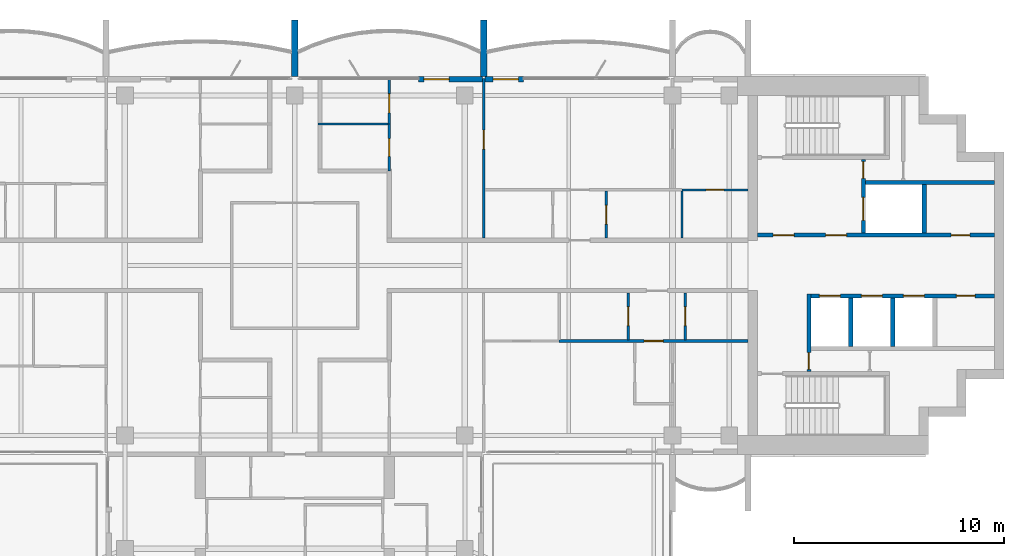
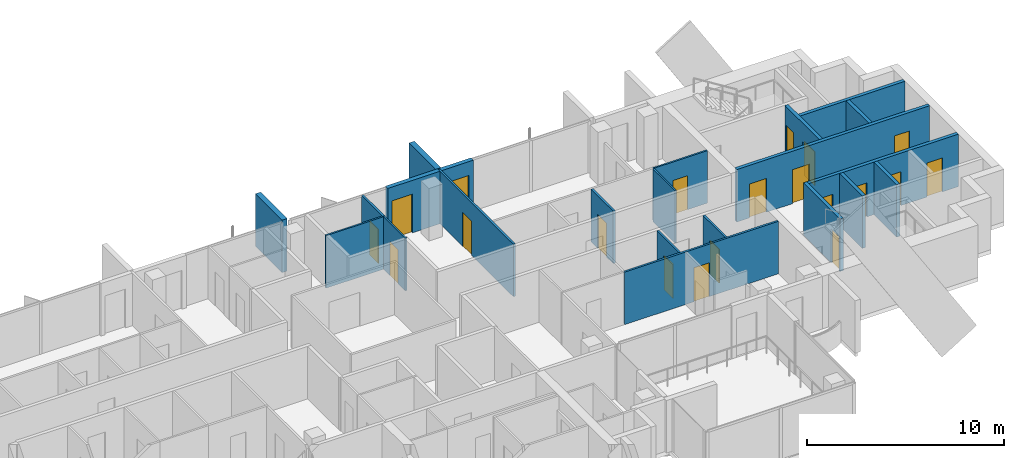
# One storey, part 11 of 16: 22 walls, 20 doors, 20 openings.
"""IFC4 building model written with IfcOpenShell, lengths in metres."""

from ifc_helpers import new_model, si_unit, direction, frame, frame_2d, origin, place, context, subcontext, project, spatial, rectangle, extrude, material, layer, layer_set, type_object, element, fill, save


model = new_model("IFC4")

# Units and contexts
model_context = context("Model", 3, precision=1e-05, world=origin(), true_north=direction((0.0, 1.0)))
body_context = subcontext(model_context, "Body", "Model", "MODEL_VIEW")
ifc_project = project(units=[si_unit("LENGTHUNIT", "METRE"), si_unit("AREAUNIT", "SQUARE_METRE"), si_unit("VOLUMEUNIT", "CUBIC_METRE"), si_unit("PLANEANGLEUNIT", "RADIAN"), si_unit("MASSUNIT", "GRAM", prefix="KILO")], contexts=[model_context])

# Site, building, storey
site_placement = place(None, origin())
site = spatial("IfcSite", under=ifc_project, at=site_placement, CompositionType="ELEMENT")
building_placement = place(site_placement, origin())
building = spatial("IfcBuilding", under=site, at=building_placement, Name="Perihelion Cross Residences", CompositionType="ELEMENT")
storey_placement = place(building_placement, frame((0.0, 0.0, 260.5)))
storey = spatial("IfcBuildingStorey", under=building, at=storey_placement, Name="L66", CompositionType="ELEMENT", Elevation=260.5)

# Wall, opening, door
ifc_material_1 = material(Name="Concrete C30/37, bronze-clad", Category="concrete")
ifc_layer_1 = layer(ifc_material_1, 0.25)
ifc_layer_set_1 = layer_set([ifc_layer_1], Name="Bronze-clad pier wall 250")
wall_type_1 = type_object("IfcWallType", Name="Bronze-clad pier wall 250", PredefinedType="SOLIDWALL", material=ifc_layer_set_1)
wall_1_placement = place(storey_placement, frame((10.89990234375, 8.875, 0.0), z_axis=(0.0, 0.0, 1.0), x_axis=(-1.0, 0.0, 0.0)))
wall_1 = element("IfcWall", 1, at=wall_1_placement, inside=storey, type_object=wall_type_1, Name="Wall FW1 L66 east side north bay 2 pier", PredefinedType="SOLIDWALL", context=body_context, shape_type="SweptSolid", body=[
    extrude(rectangle(XDim=1.83984375, YDim=0.25, at=frame_2d((0.919921875, 0.0))), origin(), (0.0, 0.0, 1.0), 3.25),
])
opening_1_placement = place(wall_1_placement, frame((0.25, 0.0, 0.0)))
opening_1 = element("IfcOpeningElement", 2, at=opening_1_placement, cuts=wall_1, Name="Opening L66.E02", PredefinedType="OPENING", context=body_context, shape_type="SweptSolid", body=[
    extrude(rectangle(XDim=1.199951171875, YDim=2.39990234375, at=frame_2d((0.60009765625, 1.199951171875))), frame((0.0, 0.135009765625, 0.0), z_axis=(0.0, -1.0, 0.0), x_axis=(1.0, 0.0, 0.0)), (0.0, 0.0, 1.0), 0.27001953125),
])
ifc_material_2 = material(Name="Bronze anodised aluminium, glazed", Category="aluminium")
door_type_1 = type_object("IfcDoorType", Name="Balcony door 1200 x 2400", OperationType="NOTDEFINED", PredefinedType="DOOR", material=ifc_material_2)
door_1_placement = place(opening_1_placement, origin())
door_1 = element("IfcDoor", 3, at=door_1_placement, inside=storey, type_object=door_type_1, Name="Door L66.E02 east side north bay 2", OperationType="SINGLE_SWING_RIGHT", OverallHeight=2.39990234375, OverallWidth=1.199951171875, PredefinedType="DOOR", context=body_context, shape_type="SweptSolid", body=[
    extrude(rectangle(XDim=1.199951171875, YDim=2.39990234375, at=frame_2d((0.60009765625, 1.199951171875))), frame((0.0, 0.02490234375, 0.0), z_axis=(0.0, -1.0, 0.0), x_axis=(1.0, 0.0, 0.0)), (0.0, 0.0, 1.0), 0.050048828125),
])
fill(opening_1, door_1)

wall_2_placement = place(storey_placement, frame((8.93994140625, 8.875, 0.0), z_axis=(0.0, 0.0, 1.0), x_axis=(-1.0, 0.0, 0.0)))
wall_2 = element("IfcWall", 4, at=wall_2_placement, inside=storey, type_object=wall_type_1, Name="Wall FW1 L66 north side east bay 1 pier", PredefinedType="SOLIDWALL", context=body_context, shape_type="SweptSolid", body=[
    extrude(rectangle(XDim=3.0400390625, YDim=0.25, at=frame_2d((1.52001953125, 0.0))), origin(), (0.0, 0.0, 1.0), 3.25),
])
opening_2_placement = place(wall_2_placement, frame((1.590087890625, 0.0, 0.0)))
opening_2 = element("IfcOpeningElement", 5, at=opening_2_placement, cuts=wall_2, Name="Opening L66.E03", PredefinedType="OPENING", context=body_context, shape_type="SweptSolid", body=[
    extrude(rectangle(XDim=1.199951171875, YDim=2.39990234375, at=frame_2d((0.60009765625, 1.199951171875))), frame((0.0, 0.135009765625, 0.0), z_axis=(0.0, -1.0, 0.0), x_axis=(1.0, 0.0, 0.0)), (0.0, 0.0, 1.0), 0.27001953125),
])
door_2_placement = place(opening_2_placement, origin())
door_2 = element("IfcDoor", 6, at=door_2_placement, inside=storey, type_object=door_type_1, Name="Door L66.E03 north side east bay 1", OperationType="SINGLE_SWING_LEFT", OverallHeight=2.39990234375, OverallWidth=1.199951171875, PredefinedType="DOOR", context=body_context, shape_type="SweptSolid", body=[
    extrude(rectangle(XDim=1.199951171875, YDim=2.39990234375, at=frame_2d((0.60009765625, 1.199951171875))), frame((0.0, 0.02490234375, 0.0), z_axis=(0.0, -1.0, 0.0), x_axis=(1.0, 0.0, 0.0)), (0.0, 0.0, 1.0), 0.050048828125),
])
fill(opening_2, door_2)

ifc_material_3 = material(Name="Concrete C50/60", Category="concrete")
ifc_layer_2 = layer(ifc_material_3, 0.199951171875)
ifc_layer_set_2 = layer_set([ifc_layer_2], Name="Lobby wall 200")
wall_type_2 = type_object("IfcWallType", Name="Lobby wall 200", PredefinedType="SOLIDWALL", material=ifc_layer_set_2)
wall_3_placement = place(storey_placement, frame((24.5, -5.050048828125, 0.0), z_axis=(0.0, 0.0, 1.0), x_axis=(0.0, 1.0, 0.0)))
wall_3 = element("IfcWall", 7, at=wall_3_placement, inside=storey, type_object=wall_type_2, Name="East core lobby wall", PredefinedType="SOLIDWALL", context=body_context, shape_type="SweptSolid", body=[
    extrude(rectangle(XDim=3.699951171875, YDim=0.199951171875, at=frame_2d((1.85009765625, 0.0))), origin(), (0.0, 0.0, 1.0), 3.25),
])
opening_3_placement = place(wall_3_placement, frame((0.10009765625, 0.0, 0.0)))
opening_3 = element("IfcOpeningElement", 8, at=opening_3_placement, cuts=wall_3, Name="Opening L66.C08", PredefinedType="OPENING", context=body_context, shape_type="SweptSolid", body=[
    extrude(rectangle(XDim=0.800048828125, YDim=2.10009765625, at=frame_2d((0.39990234375, 1.050048828125))), frame((0.0, 0.10986328125, 0.0), z_axis=(0.0, -1.0, 0.0), x_axis=(1.0, 0.0, 0.0)), (0.0, 0.0, 1.0), 0.219970703125),
])
ifc_material_4 = material(Name="Steel, powder coated", Category="steel")
door_type_2 = type_object("IfcDoorType", Name="Riser door 800", OperationType="SINGLE_SWING_LEFT", PredefinedType="DOOR", material=ifc_material_4)
door_3_placement = place(opening_3_placement, origin())
door_3 = element("IfcDoor", 9, at=door_3_placement, inside=storey, type_object=door_type_2, Name="East core riser door", OperationType="SINGLE_SWING_LEFT", OverallHeight=2.10009765625, OverallWidth=0.800048828125, PredefinedType="DOOR", context=body_context, shape_type="SweptSolid", body=[
    extrude(rectangle(XDim=0.800048828125, YDim=2.10009765625, at=frame_2d((0.39990234375, 1.050048828125))), frame((0.0, 0.02490234375, 0.0), z_axis=(0.0, -1.0, 0.0), x_axis=(1.0, 0.0, 0.0)), (0.0, 0.0, 1.0), 0.050048828125),
])
fill(opening_3, door_3)

ifc_material_5 = material(Name="Plasterboard partition")
ifc_layer_3 = layer(ifc_material_5, 0.1201171875)
ifc_layer_set_3 = layer_set([ifc_layer_3], Name="Partition wall 120")
wall_type_3 = type_object("IfcWallType", Name="Partition wall 120", PredefinedType="PARTITIONING", material=ifc_layer_set_3)
wall_4_placement = place(storey_placement, frame((9.0, 1.300048828125, 0.0), z_axis=(0.0, 0.0, 1.0), x_axis=(0.0, 1.0, 0.0)))
wall_4 = element("IfcWall", 10, at=wall_4_placement, inside=storey, type_object=wall_type_3, Name="Partition L66 W024", PredefinedType="PARTITIONING", context=body_context, shape_type="SweptSolid", body=[
    extrude(rectangle(XDim=7.619873046875, YDim=0.1201171875, at=frame_2d((3.81005859375, 0.0))), origin(), (0.0, 0.0, 1.0), 3.25),
])
opening_4_placement = place(wall_4_placement, frame((4.25, 0.0, 0.0)))
opening_4 = element("IfcOpeningElement", 11, at=opening_4_placement, cuts=wall_4, Name="Opening L66.A04", PredefinedType="OPENING", context=body_context, shape_type="SweptSolid", body=[
    extrude(rectangle(XDim=0.89990234375, YDim=2.10009765625, at=frame_2d((0.449951171875, 1.050048828125))), frame((0.0, 0.070068359375, 0.0), z_axis=(0.0, -1.0, 0.0), x_axis=(1.0, 0.0, 0.0)), (0.0, 0.0, 1.0), 0.14013671875),
])
ifc_material_6 = material(Name="Timber door leaf", Category="wood")
door_type_3 = type_object("IfcDoorType", Name="Interior room door 900 x 2100", OperationType="SINGLE_SWING_LEFT", PredefinedType="DOOR", material=ifc_material_6)
door_4_placement = place(opening_4_placement, origin())
door_4 = element("IfcDoor", 12, at=door_4_placement, inside=storey, type_object=door_type_3, Name="Door L66.A04", OperationType="SINGLE_SWING_RIGHT", OverallHeight=2.10009765625, OverallWidth=0.89990234375, PredefinedType="DOOR", context=body_context, shape_type="SweptSolid", body=[
    extrude(rectangle(XDim=0.89990234375, YDim=2.10009765625, at=frame_2d((0.449951171875, 1.050048828125))), frame((0.0, 0.02490234375, 0.0), z_axis=(0.0, -1.0, 0.0), x_axis=(1.0, 0.0, 0.0)), (0.0, 0.0, 1.0), 0.050048828125),
])
fill(opening_4, door_4)

wall_5_placement = place(storey_placement, frame((14.85009765625, 3.5400390625, 0.0), z_axis=(0.0, 0.0, 1.0), x_axis=(0.0, -1.0, 0.0)))
wall_5 = element("IfcWall", 13, at=wall_5_placement, inside=storey, type_object=wall_type_3, Name="Partition L66 W025", PredefinedType="PARTITIONING", context=body_context, shape_type="SweptSolid", body=[
    extrude(rectangle(XDim=2.239990234375, YDim=0.1201171875, at=frame_2d((1.1201171875, 0.0))), origin(), (0.0, 0.0, 1.0), 3.25),
])
opening_5_placement = place(wall_5_placement, frame((0.669921875, 0.0, 0.0)))
opening_5 = element("IfcOpeningElement", 14, at=opening_5_placement, cuts=wall_5, Name="Opening L66.A09", PredefinedType="OPENING", context=body_context, shape_type="SweptSolid", body=[
    extrude(rectangle(XDim=0.89990234375, YDim=2.10009765625, at=frame_2d((0.449951171875, 1.050048828125))), frame((0.0, 0.070068359375, 0.0), z_axis=(0.0, -1.0, 0.0), x_axis=(1.0, 0.0, 0.0)), (0.0, 0.0, 1.0), 0.14013671875),
])
door_5_placement = place(opening_5_placement, origin())
door_5 = element("IfcDoor", 15, at=door_5_placement, inside=storey, type_object=door_type_3, Name="Door L66.A09", OperationType="SINGLE_SWING_LEFT", OverallHeight=2.10009765625, OverallWidth=0.89990234375, PredefinedType="DOOR", context=body_context, shape_type="SweptSolid", body=[
    extrude(rectangle(XDim=0.89990234375, YDim=2.10009765625, at=frame_2d((0.449951171875, 1.050048828125))), frame((0.0, 0.02490234375, 0.0), z_axis=(0.0, -1.0, 0.0), x_axis=(1.0, 0.0, 0.0)), (0.0, 0.0, 1.0), 0.050048828125),
])
fill(opening_5, door_5)

wall_6_placement = place(storey_placement, frame((4.5, 6.75, 0.0), z_axis=(0.0, 0.0, 1.0), x_axis=(0.0, 1.0, 0.0)))
wall_6 = element("IfcWall", 16, at=wall_6_placement, inside=storey, type_object=wall_type_3, Name="Partition L66 W030", PredefinedType="PARTITIONING", context=body_context, shape_type="SweptSolid", body=[
    extrude(rectangle(XDim=2.169921875, YDim=0.1201171875, at=frame_2d((1.0849609375, 0.0))), origin(), (0.0, 0.0, 1.0), 3.25),
])
opening_6_placement = place(wall_6_placement, frame((0.52490234375, 0.0, 0.0)))
opening_6 = element("IfcOpeningElement", 17, at=opening_6_placement, cuts=wall_6, Name="Opening L66.A06", PredefinedType="OPENING", context=body_context, shape_type="SweptSolid", body=[
    extrude(rectangle(XDim=0.89990234375, YDim=2.10009765625, at=frame_2d((0.449951171875, 1.050048828125))), frame((0.0, 0.070068359375, 0.0), z_axis=(0.0, -1.0, 0.0), x_axis=(1.0, 0.0, 0.0)), (0.0, 0.0, 1.0), 0.14013671875),
])
door_6_placement = place(opening_6_placement, origin())
door_6 = element("IfcDoor", 18, at=door_6_placement, inside=storey, type_object=door_type_3, Name="Door L66.A06", OperationType="SINGLE_SWING_RIGHT", OverallHeight=2.10009765625, OverallWidth=0.89990234375, PredefinedType="DOOR", context=body_context, shape_type="SweptSolid", body=[
    extrude(rectangle(XDim=0.89990234375, YDim=2.10009765625, at=frame_2d((0.449951171875, 1.050048828125))), frame((0.0, 0.02490234375, 0.0), z_axis=(0.0, -1.0, 0.0), x_axis=(1.0, 0.0, 0.0)), (0.0, 0.0, 1.0), 0.050048828125),
])
fill(opening_6, door_6)

wall_7_placement = place(storey_placement, frame((15.89990234375, -1.300048828125, 0.0), z_axis=(0.0, 0.0, 1.0), x_axis=(0.0, -1.0, 0.0)))
wall_7 = element("IfcWall", 19, at=wall_7_placement, inside=storey, type_object=wall_type_3, Name="Partition L66 W035", PredefinedType="PARTITIONING", context=body_context, shape_type="SweptSolid", body=[
    extrude(rectangle(XDim=2.239990234375, YDim=0.1201171875, at=frame_2d((1.1201171875, 0.0))), origin(), (0.0, 0.0, 1.0), 3.25),
])
opening_7_placement = place(wall_7_placement, frame((0.669921875, 0.0, 0.0)))
opening_7 = element("IfcOpeningElement", 20, at=opening_7_placement, cuts=wall_7, Name="Opening L66.A12", PredefinedType="OPENING", context=body_context, shape_type="SweptSolid", body=[
    extrude(rectangle(XDim=0.89990234375, YDim=2.10009765625, at=frame_2d((0.449951171875, 1.050048828125))), frame((0.0, 0.070068359375, 0.0), z_axis=(0.0, -1.0, 0.0), x_axis=(1.0, 0.0, 0.0)), (0.0, 0.0, 1.0), 0.14013671875),
])
door_7_placement = place(opening_7_placement, origin())
door_7 = element("IfcDoor", 21, at=door_7_placement, inside=storey, type_object=door_type_3, Name="Door L66.A12", OperationType="SINGLE_SWING_LEFT", OverallHeight=2.10009765625, OverallWidth=0.89990234375, PredefinedType="DOOR", context=body_context, shape_type="SweptSolid", body=[
    extrude(rectangle(XDim=0.89990234375, YDim=2.10009765625, at=frame_2d((0.449951171875, 1.050048828125))), frame((0.0, 0.02490234375, 0.0), z_axis=(0.0, -1.0, 0.0), x_axis=(1.0, 0.0, 0.0)), (0.0, 0.0, 1.0), 0.050048828125),
])
fill(opening_7, door_7)

wall_8_placement = place(storey_placement, frame((21.60009765625, -3.60009765625, 0.0), z_axis=(0.0, 0.0, 1.0), x_axis=(-1.0, 0.0, 0.0)))
wall_8 = element("IfcWall", 22, at=wall_8_placement, inside=storey, type_object=wall_type_3, Name="Partition L66 W036", PredefinedType="PARTITIONING", context=body_context, shape_type="SweptSolid", body=[
    extrude(rectangle(XDim=9.0, YDim=0.1201171875, at=frame_2d((4.5, 0.0))), origin(), (0.0, 0.0, 1.0), 3.25),
])
opening_8_placement = place(wall_8_placement, frame((4.050048828125, 0.0, 0.0)))
opening_8 = element("IfcOpeningElement", 23, at=opening_8_placement, cuts=wall_8, Name="Opening L66.A10", PredefinedType="OPENING", context=body_context, shape_type="SweptSolid", body=[
    extrude(rectangle(XDim=0.89990234375, YDim=2.10009765625, at=frame_2d((0.449951171875, 1.050048828125))), frame((0.0, 0.070068359375, 0.0), z_axis=(0.0, -1.0, 0.0), x_axis=(1.0, 0.0, 0.0)), (0.0, 0.0, 1.0), 0.14013671875),
])
door_8_placement = place(opening_8_placement, origin())
door_8 = element("IfcDoor", 24, at=door_8_placement, inside=storey, type_object=door_type_3, Name="Door L66.A10", OperationType="SINGLE_SWING_RIGHT", OverallHeight=2.10009765625, OverallWidth=0.89990234375, PredefinedType="DOOR", context=body_context, shape_type="SweptSolid", body=[
    extrude(rectangle(XDim=0.89990234375, YDim=2.10009765625, at=frame_2d((0.449951171875, 1.050048828125))), frame((0.0, 0.02490234375, 0.0), z_axis=(0.0, -1.0, 0.0), x_axis=(1.0, 0.0, 0.0)), (0.0, 0.0, 1.0), 0.050048828125),
])
fill(opening_8, door_8)

wall_9_placement = place(storey_placement, frame((18.60009765625, -1.300048828125, 0.0), z_axis=(0.0, 0.0, 1.0), x_axis=(0.0, -1.0, 0.0)))
wall_9 = element("IfcWall", 25, at=wall_9_placement, inside=storey, type_object=wall_type_3, Name="Partition L66 W037", PredefinedType="PARTITIONING", context=body_context, shape_type="SweptSolid", body=[
    extrude(rectangle(XDim=2.239990234375, YDim=0.1201171875, at=frame_2d((1.1201171875, 0.0))), origin(), (0.0, 0.0, 1.0), 3.25),
])
opening_9_placement = place(wall_9_placement, frame((0.669921875, 0.0, 0.0)))
opening_9 = element("IfcOpeningElement", 26, at=opening_9_placement, cuts=wall_9, Name="Opening L66.A11", PredefinedType="OPENING", context=body_context, shape_type="SweptSolid", body=[
    extrude(rectangle(XDim=0.89990234375, YDim=2.10009765625, at=frame_2d((0.449951171875, 1.050048828125))), frame((0.0, 0.070068359375, 0.0), z_axis=(0.0, -1.0, 0.0), x_axis=(1.0, 0.0, 0.0)), (0.0, 0.0, 1.0), 0.14013671875),
])
door_9_placement = place(opening_9_placement, origin())
door_9 = element("IfcDoor", 27, at=door_9_placement, inside=storey, type_object=door_type_3, Name="Door L66.A11", OperationType="SINGLE_SWING_LEFT", OverallHeight=2.10009765625, OverallWidth=0.89990234375, PredefinedType="DOOR", context=body_context, shape_type="SweptSolid", body=[
    extrude(rectangle(XDim=0.89990234375, YDim=2.10009765625, at=frame_2d((0.449951171875, 1.050048828125))), frame((0.0, 0.02490234375, 0.0), z_axis=(0.0, -1.0, 0.0), x_axis=(1.0, 0.0, 0.0)), (0.0, 0.0, 1.0), 0.050048828125),
])
fill(opening_9, door_9)

# Walls
ifc_material_7 = material(Name="Precast concrete C50/60", Category="concrete")
ifc_layer_4 = layer(ifc_material_7, 0.300048828125)
ifc_layer_set_4 = layer_set([ifc_layer_4], Name="Precast concrete C50/60 blade wall 300")
wall_type_4 = type_object("IfcWallType", Name="Precast concrete C50/60 blade wall 300", PredefinedType="SOLIDWALL", material=ifc_layer_set_4)
for number, where, z_axis, x_axis, name in (
    (28, (0.0, 9.0, 0.0), (0.0, 0.0, 1.0), (0.0, 1.0, 0.0), "Wall BL1 L66 no. 9"),
    (29, (9.0, 9.0, 0.0), (0.0, 0.0, 1.0), (0.0, 1.0, 0.0), "Wall BL1 L66 no. 16"),
):
    element("IfcWall", number, at=place(storey_placement, frame(where, z_axis=z_axis, x_axis=x_axis)), inside=storey, type_object=wall_type_4, Name=name, PredefinedType="SOLIDWALL", context=body_context, shape_type="SweptSolid", body=[
        extrude(rectangle(XDim=2.699951171875, YDim=0.300048828125, at=frame_2d((1.35009765625, 0.0))), origin(), (0.0, 0.0, 1.0), 3.25),
    ])

# Wall, openings, doors
ifc_material_8 = material(Name="Concrete C50/60", Category="concrete")
ifc_layer_5 = layer(ifc_material_8, 0.199951171875)
ifc_layer_set_5 = layer_set([ifc_layer_5], Name="Shaft wall 200")
wall_type_5 = type_object("IfcWallType", Name="Shaft wall 200", PredefinedType="SOLIDWALL", material=ifc_layer_set_5)
wall_10_placement = place(storey_placement, frame((22.050048828125, 1.449951171875, 0.0), z_axis=(0.0, 0.0, 1.0), x_axis=(1.0, 0.0, 0.0)))
wall_10 = element("IfcWall", 30, at=wall_10_placement, inside=storey, type_object=wall_type_5, Name="East core shaft wall", PredefinedType="SOLIDWALL", context=body_context, shape_type="SweptSolid", body=[
    extrude(rectangle(XDim=11.300048828125, YDim=0.199951171875, at=frame_2d((5.64990234375, 0.0))), origin(), (0.0, 0.0, 1.0), 3.25),
])
opening_10_placement = place(wall_10_placement, frame((0.75, 0.0, 0.0)))
opening_10 = element("IfcOpeningElement", 31, at=opening_10_placement, cuts=wall_10, Name="Opening L66.C07", PredefinedType="OPENING", context=body_context, shape_type="SweptSolid", body=[
    extrude(rectangle(XDim=1.0, YDim=2.10009765625, at=frame_2d((0.5, 1.050048828125))), frame((0.0, 0.10986328125, 0.0), z_axis=(0.0, -1.0, 0.0), x_axis=(1.0, 0.0, 0.0)), (0.0, 0.0, 1.0), 0.219970703125),
])
opening_11_placement = place(wall_10_placement, frame((3.25, 0.0, 0.0)))
opening_11 = element("IfcOpeningElement", 32, at=opening_11_placement, cuts=wall_10, Name="Opening L66.C09", PredefinedType="OPENING", context=body_context, shape_type="SweptSolid", body=[
    extrude(rectangle(XDim=1.0, YDim=2.10009765625, at=frame_2d((0.5, 1.050048828125))), frame((0.0, 0.10986328125, 0.0), z_axis=(0.0, -1.0, 0.0), x_axis=(1.0, 0.0, 0.0)), (0.0, 0.0, 1.0), 0.219970703125),
])
opening_12_placement = place(wall_10_placement, frame((9.22509765625, 0.0, 0.0)))
opening_12 = element("IfcOpeningElement", 33, at=opening_12_placement, cuts=wall_10, Name="Opening L66.C13", PredefinedType="OPENING", context=body_context, shape_type="SweptSolid", body=[
    extrude(rectangle(XDim=0.89990234375, YDim=2.10009765625, at=frame_2d((0.449951171875, 1.050048828125))), frame((0.0, 0.10986328125, 0.0), z_axis=(0.0, -1.0, 0.0), x_axis=(1.0, 0.0, 0.0)), (0.0, 0.0, 1.0), 0.219970703125),
])
ifc_material_9 = material(Name="Steel, powder coated", Category="steel")
door_type_4 = type_object("IfcDoorType", Name="Lobby door 1000", OperationType="SINGLE_SWING_LEFT", PredefinedType="DOOR", material=ifc_material_9)
door_10_placement = place(opening_10_placement, origin())
door_10 = element("IfcDoor", 34, at=door_10_placement, inside=storey, type_object=door_type_4, Name="East core firefighting lobby door", OperationType="SINGLE_SWING_LEFT", OverallHeight=2.10009765625, OverallWidth=1.0, PredefinedType="DOOR", context=body_context, shape_type="SweptSolid", body=[
    extrude(rectangle(XDim=1.0, YDim=2.10009765625, at=frame_2d((0.5, 1.050048828125))), frame((0.0, 0.02490234375, 0.0), z_axis=(0.0, -1.0, 0.0), x_axis=(1.0, 0.0, 0.0)), (0.0, 0.0, 1.0), 0.050048828125),
])
fill(opening_10, door_10)
door_11_placement = place(opening_11_placement, origin())
door_11 = element("IfcDoor", 35, at=door_11_placement, inside=storey, type_object=door_type_4, Name="East core firefighting lobby door", OperationType="SINGLE_SWING_LEFT", OverallHeight=2.10009765625, OverallWidth=1.0, PredefinedType="DOOR", context=body_context, shape_type="SweptSolid", body=[
    extrude(rectangle(XDim=1.0, YDim=2.10009765625, at=frame_2d((0.5, 1.050048828125))), frame((0.0, 0.02490234375, 0.0), z_axis=(0.0, -1.0, 0.0), x_axis=(1.0, 0.0, 0.0)), (0.0, 0.0, 1.0), 0.050048828125),
])
fill(opening_11, door_11)
ifc_material_10 = material(Name="Steel, powder coated", Category="steel")
door_type_5 = type_object("IfcDoorType", Name="Service room door 900", OperationType="SINGLE_SWING_LEFT", PredefinedType="DOOR", material=ifc_material_10)
door_12_placement = place(opening_12_placement, origin())
door_12 = element("IfcDoor", 36, at=door_12_placement, inside=storey, type_object=door_type_5, Name="East core service room door", OperationType="SINGLE_SWING_LEFT", OverallHeight=2.10009765625, OverallWidth=0.89990234375, PredefinedType="DOOR", context=body_context, shape_type="SweptSolid", body=[
    extrude(rectangle(XDim=0.89990234375, YDim=2.10009765625, at=frame_2d((0.449951171875, 1.050048828125))), frame((0.0, 0.02490234375, 0.0), z_axis=(0.0, -1.0, 0.0), x_axis=(1.0, 0.0, 0.0)), (0.0, 0.0, 1.0), 0.050048828125),
])
fill(opening_12, door_12)

wall_11_placement = place(storey_placement, frame((24.60009765625, -1.449951171875, 0.0), z_axis=(0.0, 0.0, 1.0), x_axis=(1.0, 0.0, 0.0)))
wall_11 = element("IfcWall", 37, at=wall_11_placement, inside=storey, type_object=wall_type_5, Name="East core shaft wall", PredefinedType="SOLIDWALL", context=body_context, shape_type="SweptSolid", body=[
    extrude(rectangle(XDim=8.75, YDim=0.199951171875, at=frame_2d((4.375, 0.0))), origin(), (0.0, 0.0, 1.0), 3.25),
])
opening_13_placement = place(wall_11_placement, frame((0.39990234375, 0.0, 0.0)))
opening_13 = element("IfcOpeningElement", 38, at=opening_13_placement, cuts=wall_11, Name="Opening L66.C01", PredefinedType="OPENING", context=body_context, shape_type="SweptSolid", body=[
    extrude(rectangle(XDim=1.0, YDim=2.10009765625, at=frame_2d((0.5, 1.050048828125))), frame((0.0, 0.10986328125, 0.0), z_axis=(0.0, -1.0, 0.0), x_axis=(1.0, 0.0, 0.0)), (0.0, 0.0, 1.0), 0.219970703125),
])
opening_14_placement = place(wall_11_placement, frame((2.39990234375, 0.0, 0.0)))
opening_14 = element("IfcOpeningElement", 39, at=opening_14_placement, cuts=wall_11, Name="Opening L66.C03", PredefinedType="OPENING", context=body_context, shape_type="SweptSolid", body=[
    extrude(rectangle(XDim=1.0, YDim=2.10009765625, at=frame_2d((0.5, 1.050048828125))), frame((0.0, 0.10986328125, 0.0), z_axis=(0.0, -1.0, 0.0), x_axis=(1.0, 0.0, 0.0)), (0.0, 0.0, 1.0), 0.219970703125),
])
opening_15_placement = place(wall_11_placement, frame((4.39990234375, 0.0, 0.0)))
opening_15 = element("IfcOpeningElement", 40, at=opening_15_placement, cuts=wall_11, Name="Opening L66.C04", PredefinedType="OPENING", context=body_context, shape_type="SweptSolid", body=[
    extrude(rectangle(XDim=1.0, YDim=2.10009765625, at=frame_2d((0.5, 1.050048828125))), frame((0.0, 0.10986328125, 0.0), z_axis=(0.0, -1.0, 0.0), x_axis=(1.0, 0.0, 0.0)), (0.0, 0.0, 1.0), 0.219970703125),
])
opening_16_placement = place(wall_11_placement, frame((6.925048828125, 0.0, 0.0)))
opening_16 = element("IfcOpeningElement", 41, at=opening_16_placement, cuts=wall_11, Name="Opening L66.C14", PredefinedType="OPENING", context=body_context, shape_type="SweptSolid", body=[
    extrude(rectangle(XDim=0.89990234375, YDim=2.10009765625, at=frame_2d((0.449951171875, 1.050048828125))), frame((0.0, 0.10986328125, 0.0), z_axis=(0.0, -1.0, 0.0), x_axis=(1.0, 0.0, 0.0)), (0.0, 0.0, 1.0), 0.219970703125),
])
ifc_material_11 = material(Name="Stainless steel", Category="steel")
door_type_6 = type_object("IfcDoorType", Name="Landing door 1000", OperationType="DOUBLE_DOOR_SLIDING", PredefinedType="DOOR", material=ifc_material_11)
door_13_placement = place(opening_13_placement, origin())
door_13 = element("IfcDoor", 42, at=door_13_placement, inside=storey, type_object=door_type_6, Name="Landing door, East core high-rise lift 1", OperationType="DOUBLE_DOOR_SLIDING", OverallHeight=2.10009765625, OverallWidth=1.0, PredefinedType="DOOR", context=body_context, shape_type="SweptSolid", body=[
    extrude(rectangle(XDim=1.0, YDim=2.10009765625, at=frame_2d((0.5, 1.050048828125))), frame((0.0, 0.02490234375, 0.0), z_axis=(0.0, -1.0, 0.0), x_axis=(1.0, 0.0, 0.0)), (0.0, 0.0, 1.0), 0.050048828125),
])
fill(opening_13, door_13)
door_14_placement = place(opening_14_placement, origin())
door_14 = element("IfcDoor", 43, at=door_14_placement, inside=storey, type_object=door_type_6, Name="Landing door, East core high-rise lift 2", OperationType="DOUBLE_DOOR_SLIDING", OverallHeight=2.10009765625, OverallWidth=1.0, PredefinedType="DOOR", context=body_context, shape_type="SweptSolid", body=[
    extrude(rectangle(XDim=1.0, YDim=2.10009765625, at=frame_2d((0.5, 1.050048828125))), frame((0.0, 0.02490234375, 0.0), z_axis=(0.0, -1.0, 0.0), x_axis=(1.0, 0.0, 0.0)), (0.0, 0.0, 1.0), 0.050048828125),
])
fill(opening_14, door_14)
door_15_placement = place(opening_15_placement, origin())
door_15 = element("IfcDoor", 44, at=door_15_placement, inside=storey, type_object=door_type_6, Name="Landing door, East core high-rise lift 3", OperationType="DOUBLE_DOOR_SLIDING", OverallHeight=2.10009765625, OverallWidth=1.0, PredefinedType="DOOR", context=body_context, shape_type="SweptSolid", body=[
    extrude(rectangle(XDim=1.0, YDim=2.10009765625, at=frame_2d((0.5, 1.050048828125))), frame((0.0, 0.02490234375, 0.0), z_axis=(0.0, -1.0, 0.0), x_axis=(1.0, 0.0, 0.0)), (0.0, 0.0, 1.0), 0.050048828125),
])
fill(opening_15, door_15)
door_16_placement = place(opening_16_placement, origin())
door_16 = element("IfcDoor", 45, at=door_16_placement, inside=storey, type_object=door_type_5, Name="East core service room door", OperationType="SINGLE_SWING_LEFT", OverallHeight=2.10009765625, OverallWidth=0.89990234375, PredefinedType="DOOR", context=body_context, shape_type="SweptSolid", body=[
    extrude(rectangle(XDim=0.89990234375, YDim=2.10009765625, at=frame_2d((0.449951171875, 1.050048828125))), frame((0.0, 0.02490234375, 0.0), z_axis=(0.0, -1.0, 0.0), x_axis=(1.0, 0.0, 0.0)), (0.0, 0.0, 1.0), 0.050048828125),
])
fill(opening_16, door_16)

# Wall
wall_12_placement = place(storey_placement, frame((27.199951171875, 3.949951171875, 0.0), z_axis=(0.0, 0.0, 1.0), x_axis=(1.0, 0.0, 0.0)))
element("IfcWall", 46, at=wall_12_placement, inside=storey, type_object=wall_type_5, Name="East core shaft wall", PredefinedType="SOLIDWALL", context=body_context, shape_type="SweptSolid", body=[
    extrude(rectangle(XDim=6.150146484375, YDim=0.199951171875, at=frame_2d((3.0751953125, 0.0))), origin(), (0.0, 0.0, 1.0), 3.25),
])

# Wall, openings, doors
wall_13_placement = place(storey_placement, frame((27.10009765625, 1.550048828125, 0.0), z_axis=(0.0, 0.0, 1.0), x_axis=(0.0, 1.0, 0.0)))
wall_13 = element("IfcWall", 47, at=wall_13_placement, inside=storey, type_object=wall_type_5, Name="East core shaft wall", PredefinedType="SOLIDWALL", context=body_context, shape_type="SweptSolid", body=[
    extrude(rectangle(XDim=3.5, YDim=0.199951171875, at=frame_2d((1.75, 0.0))), origin(), (0.0, 0.0, 1.0), 3.25),
])
opening_17_placement = place(wall_13_placement, frame((0.60009765625, 0.0, 0.0)))
opening_17 = element("IfcOpeningElement", 48, at=opening_17_placement, cuts=wall_13, Name="Opening L66.C02", PredefinedType="OPENING", context=body_context, shape_type="SweptSolid", body=[
    extrude(rectangle(XDim=1.10009765625, YDim=2.10009765625, at=frame_2d((0.550048828125, 1.050048828125))), frame((0.0, 0.10986328125, 0.0), z_axis=(0.0, -1.0, 0.0), x_axis=(1.0, 0.0, 0.0)), (0.0, 0.0, 1.0), 0.219970703125),
])
opening_18_placement = place(wall_13_placement, frame((2.60009765625, 0.0, 0.0)))
opening_18 = element("IfcOpeningElement", 49, at=opening_18_placement, cuts=wall_13, Name="Opening L66.C10", PredefinedType="OPENING", context=body_context, shape_type="SweptSolid", body=[
    extrude(rectangle(XDim=0.800048828125, YDim=2.10009765625, at=frame_2d((0.39990234375, 1.050048828125))), frame((0.0, 0.10986328125, 0.0), z_axis=(0.0, -1.0, 0.0), x_axis=(1.0, 0.0, 0.0)), (0.0, 0.0, 1.0), 0.219970703125),
])
ifc_material_12 = material(Name="Stainless steel", Category="steel")
door_type_7 = type_object("IfcDoorType", Name="Landing door, firefighting lift 1100", OperationType="DOUBLE_DOOR_SLIDING", PredefinedType="DOOR", material=ifc_material_12)
door_17_placement = place(opening_17_placement, origin())
door_17 = element("IfcDoor", 50, at=door_17_placement, inside=storey, type_object=door_type_7, Name="Landing door, East core firefighting and service lift", OperationType="DOUBLE_DOOR_SLIDING", OverallHeight=2.10009765625, OverallWidth=1.10009765625, PredefinedType="DOOR", context=body_context, shape_type="SweptSolid", body=[
    extrude(rectangle(XDim=1.10009765625, YDim=2.10009765625, at=frame_2d((0.550048828125, 1.050048828125))), frame((0.0, 0.02490234375, 0.0), z_axis=(0.0, -1.0, 0.0), x_axis=(1.0, 0.0, 0.0)), (0.0, 0.0, 1.0), 0.050048828125),
])
fill(opening_17, door_17)
door_18_placement = place(opening_18_placement, origin())
door_18 = element("IfcDoor", 51, at=door_18_placement, inside=storey, type_object=door_type_2, Name="East core riser door", OperationType="SINGLE_SWING_LEFT", OverallHeight=2.10009765625, OverallWidth=0.800048828125, PredefinedType="DOOR", context=body_context, shape_type="SweptSolid", body=[
    extrude(rectangle(XDim=0.800048828125, YDim=2.10009765625, at=frame_2d((0.39990234375, 1.050048828125))), frame((0.0, 0.02490234375, 0.0), z_axis=(0.0, -1.0, 0.0), x_axis=(1.0, 0.0, 0.0)), (0.0, 0.0, 1.0), 0.050048828125),
])
fill(opening_18, door_18)

# Walls
for number, where, z_axis, x_axis, name in (
    (52, (30.0, 1.550048828125, 0.0), (0.0, 0.0, 1.0), (0.0, 1.0, 0.0), "East core shaft wall"),
    (53, (26.5, -3.85009765625, 0.0), (0.0, 0.0, 1.0), (0.0, 1.0, 0.0), "East core shaft wall"),
    (54, (28.5, -3.85009765625, 0.0), (0.0, 0.0, 1.0), (0.0, 1.0, 0.0), "East core shaft wall"),
):
    element("IfcWall", number, at=place(storey_placement, frame(where, z_axis=z_axis, x_axis=x_axis)), inside=storey, type_object=wall_type_5, Name=name, PredefinedType="SOLIDWALL", context=body_context, shape_type="SweptSolid", body=[
        extrude(rectangle(XDim=2.300048828125, YDim=0.199951171875, at=frame_2d((1.14990234375, 0.0))), origin(), (0.0, 0.0, 1.0), 3.25),
    ])
ifc_material_13 = material(Name="Plasterboard partition")
ifc_layer_6 = layer(ifc_material_13, 0.10009765625)
ifc_layer_set_6 = layer_set([ifc_layer_6], Name="Wet room wall 100")
wall_type_6 = type_object("IfcWallType", Name="Wet room wall 100", PredefinedType="PARTITIONING", material=ifc_layer_set_6)
wall_14_placement = place(storey_placement, frame((18.449951171875, 3.5400390625, 0.0), z_axis=(0.0, 0.0, 1.0), x_axis=(0.0, -1.0, 0.0)))
element("IfcWall", 55, at=wall_14_placement, inside=storey, type_object=wall_type_6, Name="Partition L66 W026", PredefinedType="PARTITIONING", context=body_context, shape_type="SweptSolid", body=[
    extrude(rectangle(XDim=2.239990234375, YDim=0.10009765625, at=frame_2d((1.1201171875, 0.0))), origin(), (0.0, 0.0, 1.0), 3.25),
])

# Wall, opening, door
wall_15_placement = place(storey_placement, frame((18.449951171875, 3.60009765625, 0.0), z_axis=(0.0, 0.0, 1.0), x_axis=(1.0, 0.0, 0.0)))
wall_15 = element("IfcWall", 56, at=wall_15_placement, inside=storey, type_object=wall_type_6, Name="Partition L66 W027", PredefinedType="PARTITIONING", context=body_context, shape_type="SweptSolid", body=[
    extrude(rectangle(XDim=3.150146484375, YDim=0.10009765625, at=frame_2d((1.5751953125, 0.0))), origin(), (0.0, 0.0, 1.0), 3.25),
])
opening_19_placement = place(wall_15_placement, frame((1.14990234375, 0.0, 0.0)))
opening_19 = element("IfcOpeningElement", 57, at=opening_19_placement, cuts=wall_15, Name="Opening L66.A02", PredefinedType="OPENING", context=body_context, shape_type="SweptSolid", body=[
    extrude(rectangle(XDim=0.85009765625, YDim=2.10009765625, at=frame_2d((0.425048828125, 1.050048828125))), frame((0.0, 0.06005859375, 0.0), z_axis=(0.0, -1.0, 0.0), x_axis=(1.0, 0.0, 0.0)), (0.0, 0.0, 1.0), 0.1201171875),
])
ifc_material_14 = material(Name="Timber door leaf", Category="wood")
door_type_8 = type_object("IfcDoorType", Name="Interior bathroom door 850 x 2100", OperationType="SINGLE_SWING_LEFT", PredefinedType="DOOR", material=ifc_material_14)
door_19_placement = place(opening_19_placement, origin())
door_19 = element("IfcDoor", 58, at=door_19_placement, inside=storey, type_object=door_type_8, Name="Door L66.A02", OperationType="SINGLE_SWING_RIGHT", OverallHeight=2.10009765625, OverallWidth=0.85009765625, PredefinedType="DOOR", context=body_context, shape_type="SweptSolid", body=[
    extrude(rectangle(XDim=0.85009765625, YDim=2.10009765625, at=frame_2d((0.425048828125, 1.050048828125))), frame((0.0, 0.02490234375, 0.0), z_axis=(0.0, -1.0, 0.0), x_axis=(1.0, 0.0, 0.0)), (0.0, 0.0, 1.0), 0.050048828125),
])
fill(opening_19, door_19)

wall_16_placement = place(storey_placement, frame((4.5, 4.5, 0.0), z_axis=(0.0, 0.0, 1.0), x_axis=(0.0, 1.0, 0.0)))
wall_16 = element("IfcWall", 59, at=wall_16_placement, inside=storey, type_object=wall_type_6, Name="Partition L66 W029", PredefinedType="PARTITIONING", context=body_context, shape_type="SweptSolid", body=[
    extrude(rectangle(XDim=2.25, YDim=0.10009765625, at=frame_2d((1.125, 0.0))), origin(), (0.0, 0.0, 1.0), 3.25),
])
opening_20_placement = place(wall_16_placement, frame((0.699951171875, 0.0, 0.0)))
opening_20 = element("IfcOpeningElement", 60, at=opening_20_placement, cuts=wall_16, Name="Opening L66.A03", PredefinedType="OPENING", context=body_context, shape_type="SweptSolid", body=[
    extrude(rectangle(XDim=0.85009765625, YDim=2.10009765625, at=frame_2d((0.425048828125, 1.050048828125))), frame((0.0, 0.06005859375, 0.0), z_axis=(0.0, -1.0, 0.0), x_axis=(1.0, 0.0, 0.0)), (0.0, 0.0, 1.0), 0.1201171875),
])
door_20_placement = place(opening_20_placement, origin())
door_20 = element("IfcDoor", 61, at=door_20_placement, inside=storey, type_object=door_type_8, Name="Door L66.A03", OperationType="SINGLE_SWING_LEFT", OverallHeight=2.10009765625, OverallWidth=0.85009765625, PredefinedType="DOOR", context=body_context, shape_type="SweptSolid", body=[
    extrude(rectangle(XDim=0.85009765625, YDim=2.10009765625, at=frame_2d((0.425048828125, 1.050048828125))), frame((0.0, 0.02490234375, 0.0), z_axis=(0.0, -1.0, 0.0), x_axis=(1.0, 0.0, 0.0)), (0.0, 0.0, 1.0), 0.050048828125),
])
fill(opening_20, door_20)

# Wall
wall_17_placement = place(storey_placement, frame((1.10009765625, 6.75, 0.0), z_axis=(0.0, 0.0, 1.0), x_axis=(1.0, 0.0, 0.0)))
element("IfcWall", 62, at=wall_17_placement, inside=storey, type_object=wall_type_6, Name="Partition L66 W031", PredefinedType="PARTITIONING", context=body_context, shape_type="SweptSolid", body=[
    extrude(rectangle(XDim=3.4599609375, YDim=0.10009765625, at=frame_2d((1.72998046875, 0.0))), origin(), (0.0, 0.0, 1.0), 3.25),
])

save(model, "model.ifc")
